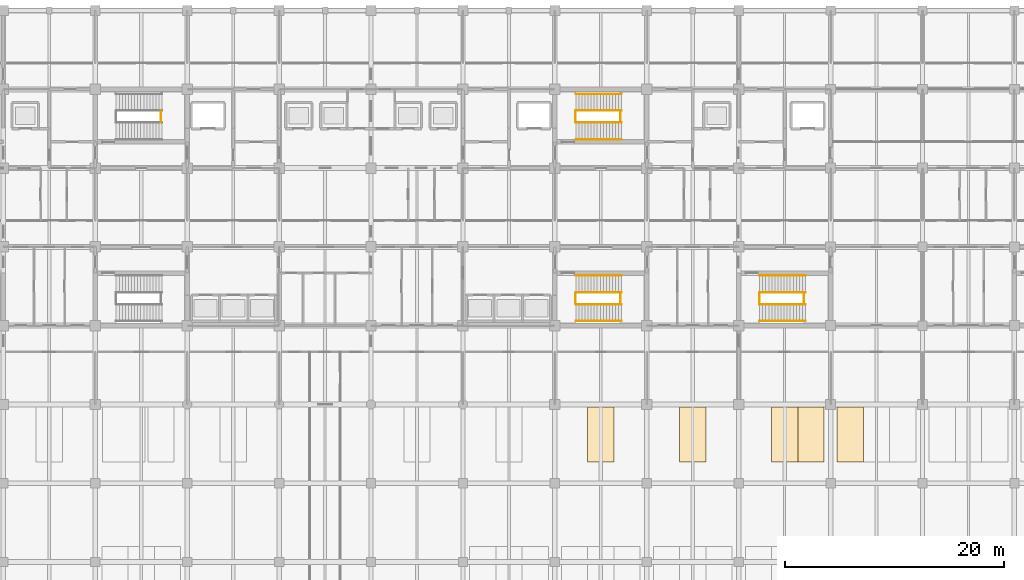
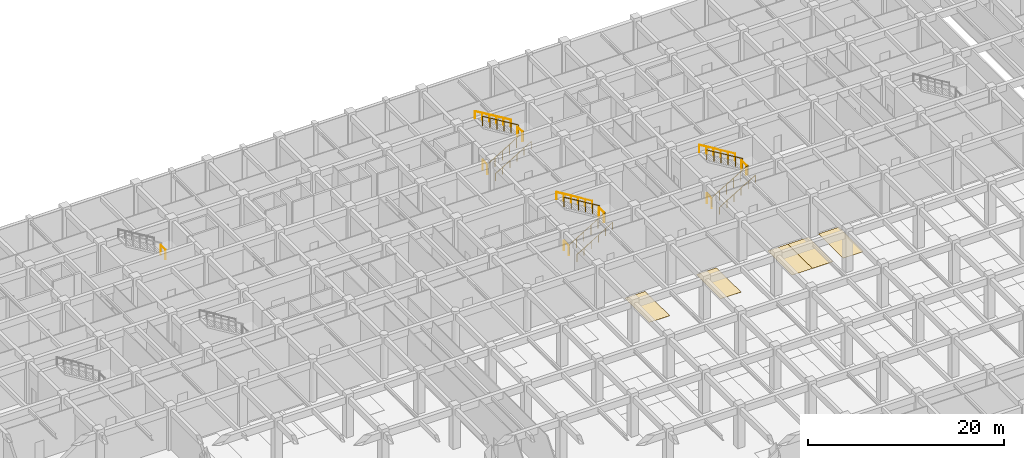
# One storey, part 45 of 48: 19 railings, 5 coverings.
"""IFC4 building model written with IfcOpenShell, lengths in metres."""

from ifc_helpers import new_model, si_unit, direction, frame, origin, origin_2d, place, context, subcontext, project, spatial, polyline, circle, outline, extrude, material, layer, layer_set, type_object, element, save


model = new_model("IFC4")

# Units and contexts
model_context = context("Model", 3, precision=1e-05, world=origin(), true_north=direction((0.0, 1.0)))
body_context = subcontext(model_context, "Body", "Model", "MODEL_VIEW")
ifc_project = project(units=[si_unit("LENGTHUNIT", "METRE"), si_unit("AREAUNIT", "SQUARE_METRE"), si_unit("VOLUMEUNIT", "CUBIC_METRE"), si_unit("PLANEANGLEUNIT", "RADIAN"), si_unit("MASSUNIT", "GRAM", prefix="KILO")], contexts=[model_context])

# Site, building, storey
site_placement = place(None, origin())
site = spatial("IfcSite", under=ifc_project, at=site_placement, CompositionType="ELEMENT")
building_placement = place(site_placement, origin())
building = spatial("IfcBuilding", under=site, at=building_placement, Name="Chengyuan Square Courthouse", CompositionType="ELEMENT")
storey_placement = place(building_placement, frame((0.0, 0.0, -5.39990234375)))
storey = spatial("IfcBuildingStorey", under=building, at=storey_placement, Name="B01", CompositionType="ELEMENT", Elevation=-5.39990234375)

# Coverings
ifc_material_1 = material(Name="Thermoplastic Parking Bay Marking Paint")
ifc_layer = layer(ifc_material_1, 0.010009765625)
ifc_layer_set = layer_set([ifc_layer], Name="Thermoplastic Parking Bay Marking Paint")
covering_type = type_object("IfcCoveringType", Name="PKB-01", PredefinedType="FLOORING", material=ifc_layer_set)
covering_1_placement = place(storey_placement, origin())
element("IfcCovering", 1, at=covering_1_placement, inside=storey, type_object=covering_type, Name="Parking Bay Marking B01-P160", PredefinedType="FLOORING", context=body_context, shape_type="SweptSolid", body=[
    extrude(outline(polyline([(103.800048828125, 73.949951171875), (106.199951171875, 73.949951171875), (106.199951171875, 78.949951171875), (103.800048828125, 78.949951171875), (103.800048828125, 73.949951171875)])), origin(), (0.0, 0.0, 1.0), 0.010009765625),
])
covering_2_placement = place(storey_placement, origin())
element("IfcCovering", 2, at=covering_2_placement, inside=storey, type_object=covering_type, Name="Parking Bay Marking B01-P161", PredefinedType="FLOORING", context=body_context, shape_type="SweptSolid", body=[
    extrude(outline(polyline([(112.199951171875, 73.949951171875), (114.60009765625, 73.949951171875), (114.60009765625, 78.949951171875), (112.199951171875, 78.949951171875), (112.199951171875, 73.949951171875)])), origin(), (0.0, 0.0, 1.0), 0.010009765625),
])
covering_3_placement = place(storey_placement, origin())
element("IfcCovering", 3, at=covering_3_placement, inside=storey, type_object=covering_type, Name="Parking Bay Marking B01-P162", PredefinedType="FLOORING", context=body_context, shape_type="SweptSolid", body=[
    extrude(outline(polyline([(120.60009765625, 73.949951171875), (123.0, 73.949951171875), (123.0, 78.949951171875), (120.60009765625, 78.949951171875), (120.60009765625, 73.949951171875)])), origin(), (0.0, 0.0, 1.0), 0.010009765625),
])
covering_4_placement = place(storey_placement, origin())
element("IfcCovering", 4, at=covering_4_placement, inside=storey, type_object=covering_type, Name="Parking Bay Marking B01-P163", PredefinedType="FLOORING", context=body_context, shape_type="SweptSolid", body=[
    extrude(outline(polyline([(123.0, 73.949951171875), (125.39990234375, 73.949951171875), (125.39990234375, 78.949951171875), (123.0, 78.949951171875), (123.0, 73.949951171875)])), origin(), (0.0, 0.0, 1.0), 0.010009765625),
])
covering_5_placement = place(storey_placement, origin())
element("IfcCovering", 5, at=covering_5_placement, inside=storey, type_object=covering_type, Name="Parking Bay Marking B01-P164", PredefinedType="FLOORING", context=body_context, shape_type="SweptSolid", body=[
    extrude(outline(polyline([(126.60009765625, 73.949951171875), (129.0, 73.949951171875), (129.0, 78.949951171875), (126.60009765625, 78.949951171875), (126.60009765625, 73.949951171875)])), origin(), (0.0, 0.0, 1.0), 0.010009765625),
])

# Railings
ifc_material_2 = material(Name="Tempered Glass and Timber Top-Rail Balustrade", Category="wood")
railing_type_1 = type_object("IfcRailingType", Name="RL-02", PredefinedType="BALUSTRADE", material=ifc_material_2)
for number, where, name in (
    (6, (64.7900390625, 105.0, 2.699951171875), "Stair Landing Guard ST-1-B01"),
    (7, (102.68994140625, 105.0, 0.0), "Stair Floor Slot Guard ST-2 B01"),
    (8, (106.7900390625, 105.0, 2.699951171875), "Stair Landing Guard ST-2-B01"),
):
    element("IfcRailing", number, at=place(storey_placement, frame(where)), inside=storey, type_object=railing_type_1, Name=name, PredefinedType="BALUSTRADE", context=body_context, shape_type="SweptSolid", body=[
        extrude(circle(Radius=0.02392578125, at=origin_2d()), frame((0.0, 0.0, 1.17578125), z_axis=(0.0, 1.0, 0.0), x_axis=(-1.0, 0.0, 0.0)), (0.0, 0.0, 1.0), 1.0),
        extrude(circle(Radius=0.02099609375, at=origin_2d()), origin(), (0.0, 0.0, 1.0), 1.15185546875),
        extrude(circle(Radius=0.02099609375, at=origin_2d()), frame((0.0, 1.0, 0.0)), (0.0, 0.0, 1.0), 1.15185546875),
    ])
railing_1_placement = place(storey_placement, frame((102.7099609375, 104.949951171875, 0.168701171875)))
element("IfcRailing", 9, at=railing_1_placement, inside=storey, type_object=railing_type_1, Name="Stair Flight 1 Guard ST-2-B01", PredefinedType="BALUSTRADE", context=body_context, shape_type="SweptSolid", body=[
    extrude(circle(Radius=0.02392578125, at=origin_2d()), frame((0.0, 0.0, 1.17578125), z_axis=(0.856476492594, 0.0, 0.516186030065), x_axis=(0.0, 1.0, 0.0)), (0.0, 0.0, 1.0), 4.90380859375),
    extrude(circle(Radius=0.02099609375, at=origin_2d()), origin(), (0.0, 0.0, 1.0), 1.15185546875),
    extrude(circle(Radius=0.02099609375, at=origin_2d()), frame((0.840087890625, 0.0, 0.50634765625)), (0.0, 0.0, 1.0), 1.15185546875),
    extrude(circle(Radius=0.02099609375, at=origin_2d()), frame((1.679931640625, 0.0, 1.012451171875)), (0.0, 0.0, 1.0), 1.15185546875),
    extrude(circle(Radius=0.02099609375, at=origin_2d()), frame((2.52001953125, 0.0, 1.518798828125)), (0.0, 0.0, 1.0), 1.15185546875),
    extrude(circle(Radius=0.02099609375, at=origin_2d()), frame((3.35986328125, 0.0, 2.02490234375)), (0.0, 0.0, 1.0), 1.15185546875),
    extrude(circle(Radius=0.02099609375, at=origin_2d()), frame((4.199951171875, 0.0, 2.53125)), (0.0, 0.0, 1.0), 1.15185546875),
])
railing_2_placement = place(storey_placement, frame((106.909912109375, 106.050048828125, 2.86865234375)))
element("IfcRailing", 10, at=railing_2_placement, inside=storey, type_object=railing_type_1, Name="Stair Flight 2 Guard ST-2-B01", PredefinedType="BALUSTRADE", context=body_context, shape_type="SweptSolid", body=[
    extrude(circle(Radius=0.02392578125, at=origin_2d()), frame((0.0, 0.0, 1.17578125), z_axis=(-0.856476492594, 0.0, 0.516186030065), x_axis=(0.0, -1.0, 0.0)), (0.0, 0.0, 1.0), 4.90380859375),
    extrude(circle(Radius=0.02099609375, at=origin_2d()), origin(), (0.0, 0.0, 1.0), 1.15185546875),
    extrude(circle(Radius=0.02099609375, at=origin_2d()), frame((-0.840087890625, 0.0, 0.50634765625)), (0.0, 0.0, 1.0), 1.15185546875),
    extrude(circle(Radius=0.02099609375, at=origin_2d()), frame((-1.679931640625, 0.0, 1.012451171875)), (0.0, 0.0, 1.0), 1.15185546875),
    extrude(circle(Radius=0.02099609375, at=origin_2d()), frame((-2.52001953125, 0.0, 1.518798828125)), (0.0, 0.0, 1.0), 1.15185546875),
    extrude(circle(Radius=0.02099609375, at=origin_2d()), frame((-3.35986328125, 0.0, 2.02490234375)), (0.0, 0.0, 1.0), 1.15185546875),
    extrude(circle(Radius=0.02099609375, at=origin_2d()), frame((-4.199951171875, 0.0, 2.53125)), (0.0, 0.0, 1.0), 1.15185546875),
])
for number, where, name in (
    (11, (102.68994140625, 88.39990234375, 0.0), "Stair Floor Slot Guard ST-4 B01"),
    (12, (106.7900390625, 88.39990234375, 2.699951171875), "Stair Landing Guard ST-4-B01"),
):
    element("IfcRailing", number, at=place(storey_placement, frame(where)), inside=storey, type_object=railing_type_1, Name=name, PredefinedType="BALUSTRADE", context=body_context, shape_type="SweptSolid", body=[
        extrude(circle(Radius=0.02392578125, at=origin_2d()), frame((0.0, 0.0, 1.17578125), z_axis=(0.0, 1.0, 0.0), x_axis=(-1.0, 0.0, 0.0)), (0.0, 0.0, 1.0), 1.0),
        extrude(circle(Radius=0.02099609375, at=origin_2d()), origin(), (0.0, 0.0, 1.0), 1.15185546875),
        extrude(circle(Radius=0.02099609375, at=origin_2d()), frame((0.0, 1.0, 0.0)), (0.0, 0.0, 1.0), 1.15185546875),
    ])
railing_3_placement = place(storey_placement, frame((102.7099609375, 88.35009765625, 0.168701171875)))
element("IfcRailing", 13, at=railing_3_placement, inside=storey, type_object=railing_type_1, Name="Stair Flight 1 Guard ST-4-B01", PredefinedType="BALUSTRADE", context=body_context, shape_type="SweptSolid", body=[
    extrude(circle(Radius=0.02392578125, at=origin_2d()), frame((0.0, 0.0, 1.17578125), z_axis=(0.856476492594, 0.0, 0.516186030065), x_axis=(0.0, 1.0, 0.0)), (0.0, 0.0, 1.0), 4.90380859375),
    extrude(circle(Radius=0.02099609375, at=origin_2d()), origin(), (0.0, 0.0, 1.0), 1.15185546875),
    extrude(circle(Radius=0.02099609375, at=origin_2d()), frame((0.840087890625, 0.0, 0.50634765625)), (0.0, 0.0, 1.0), 1.15185546875),
    extrude(circle(Radius=0.02099609375, at=origin_2d()), frame((1.679931640625, 0.0, 1.012451171875)), (0.0, 0.0, 1.0), 1.15185546875),
    extrude(circle(Radius=0.02099609375, at=origin_2d()), frame((2.52001953125, 0.0, 1.518798828125)), (0.0, 0.0, 1.0), 1.15185546875),
    extrude(circle(Radius=0.02099609375, at=origin_2d()), frame((3.35986328125, 0.0, 2.02490234375)), (0.0, 0.0, 1.0), 1.15185546875),
    extrude(circle(Radius=0.02099609375, at=origin_2d()), frame((4.199951171875, 0.0, 2.53125)), (0.0, 0.0, 1.0), 1.15185546875),
])
railing_4_placement = place(storey_placement, frame((106.909912109375, 89.449951171875, 2.86865234375)))
element("IfcRailing", 14, at=railing_4_placement, inside=storey, type_object=railing_type_1, Name="Stair Flight 2 Guard ST-4-B01", PredefinedType="BALUSTRADE", context=body_context, shape_type="SweptSolid", body=[
    extrude(circle(Radius=0.02392578125, at=origin_2d()), frame((0.0, 0.0, 1.17578125), z_axis=(-0.856476492594, 0.0, 0.516186030065), x_axis=(0.0, -1.0, 0.0)), (0.0, 0.0, 1.0), 4.90380859375),
    extrude(circle(Radius=0.02099609375, at=origin_2d()), origin(), (0.0, 0.0, 1.0), 1.15185546875),
    extrude(circle(Radius=0.02099609375, at=origin_2d()), frame((-0.840087890625, 0.0, 0.50634765625)), (0.0, 0.0, 1.0), 1.15185546875),
    extrude(circle(Radius=0.02099609375, at=origin_2d()), frame((-1.679931640625, 0.0, 1.012451171875)), (0.0, 0.0, 1.0), 1.15185546875),
    extrude(circle(Radius=0.02099609375, at=origin_2d()), frame((-2.52001953125, 0.0, 1.518798828125)), (0.0, 0.0, 1.0), 1.15185546875),
    extrude(circle(Radius=0.02099609375, at=origin_2d()), frame((-3.35986328125, 0.0, 2.02490234375)), (0.0, 0.0, 1.0), 1.15185546875),
    extrude(circle(Radius=0.02099609375, at=origin_2d()), frame((-4.199951171875, 0.0, 2.53125)), (0.0, 0.0, 1.0), 1.15185546875),
])
for number, where, name in (
    (15, (119.489990234375, 88.39990234375, 0.0), "Stair Floor Slot Guard ST-6 B01"),
    (16, (123.590087890625, 88.39990234375, 2.699951171875), "Stair Landing Guard ST-6-B01"),
):
    element("IfcRailing", number, at=place(storey_placement, frame(where)), inside=storey, type_object=railing_type_1, Name=name, PredefinedType="BALUSTRADE", context=body_context, shape_type="SweptSolid", body=[
        extrude(circle(Radius=0.02392578125, at=origin_2d()), frame((0.0, 0.0, 1.17578125), z_axis=(0.0, 1.0, 0.0), x_axis=(-1.0, 0.0, 0.0)), (0.0, 0.0, 1.0), 1.0),
        extrude(circle(Radius=0.02099609375, at=origin_2d()), origin(), (0.0, 0.0, 1.0), 1.15185546875),
        extrude(circle(Radius=0.02099609375, at=origin_2d()), frame((0.0, 1.0, 0.0)), (0.0, 0.0, 1.0), 1.15185546875),
    ])
railing_5_placement = place(storey_placement, frame((119.510009765625, 88.35009765625, 0.168701171875)))
element("IfcRailing", 17, at=railing_5_placement, inside=storey, type_object=railing_type_1, Name="Stair Flight 1 Guard ST-6-B01", PredefinedType="BALUSTRADE", context=body_context, shape_type="SweptSolid", body=[
    extrude(circle(Radius=0.02392578125, at=origin_2d()), frame((0.0, 0.0, 1.17578125), z_axis=(0.856476492594, 0.0, 0.516186030065), x_axis=(0.0, 1.0, 0.0)), (0.0, 0.0, 1.0), 4.90380859375),
    extrude(circle(Radius=0.02099609375, at=origin_2d()), origin(), (0.0, 0.0, 1.0), 1.15185546875),
    extrude(circle(Radius=0.02099609375, at=origin_2d()), frame((0.840087890625, 0.0, 0.50634765625)), (0.0, 0.0, 1.0), 1.15185546875),
    extrude(circle(Radius=0.02099609375, at=origin_2d()), frame((1.679931640625, 0.0, 1.012451171875)), (0.0, 0.0, 1.0), 1.15185546875),
    extrude(circle(Radius=0.02099609375, at=origin_2d()), frame((2.52001953125, 0.0, 1.518798828125)), (0.0, 0.0, 1.0), 1.15185546875),
    extrude(circle(Radius=0.02099609375, at=origin_2d()), frame((3.35986328125, 0.0, 2.02490234375)), (0.0, 0.0, 1.0), 1.15185546875),
    extrude(circle(Radius=0.02099609375, at=origin_2d()), frame((4.199951171875, 0.0, 2.53125)), (0.0, 0.0, 1.0), 1.15185546875),
])
railing_6_placement = place(storey_placement, frame((123.7099609375, 89.449951171875, 2.86865234375)))
element("IfcRailing", 18, at=railing_6_placement, inside=storey, type_object=railing_type_1, Name="Stair Flight 2 Guard ST-6-B01", PredefinedType="BALUSTRADE", context=body_context, shape_type="SweptSolid", body=[
    extrude(circle(Radius=0.02392578125, at=origin_2d()), frame((0.0, 0.0, 1.17578125), z_axis=(-0.856476492594, 0.0, 0.516186030065), x_axis=(0.0, -1.0, 0.0)), (0.0, 0.0, 1.0), 4.90380859375),
    extrude(circle(Radius=0.02099609375, at=origin_2d()), origin(), (0.0, 0.0, 1.0), 1.15185546875),
    extrude(circle(Radius=0.02099609375, at=origin_2d()), frame((-0.840087890625, 0.0, 0.50634765625)), (0.0, 0.0, 1.0), 1.15185546875),
    extrude(circle(Radius=0.02099609375, at=origin_2d()), frame((-1.679931640625, 0.0, 1.012451171875)), (0.0, 0.0, 1.0), 1.15185546875),
    extrude(circle(Radius=0.02099609375, at=origin_2d()), frame((-2.52001953125, 0.0, 1.518798828125)), (0.0, 0.0, 1.0), 1.15185546875),
    extrude(circle(Radius=0.02099609375, at=origin_2d()), frame((-3.35986328125, 0.0, 2.02490234375)), (0.0, 0.0, 1.0), 1.15185546875),
    extrude(circle(Radius=0.02099609375, at=origin_2d()), frame((-4.199951171875, 0.0, 2.53125)), (0.0, 0.0, 1.0), 1.15185546875),
])
ifc_material_3 = material(Name="Stainless Steel S30408 Stair Handrail", Category="steel")
railing_type_2 = type_object("IfcRailingType", Name="RL-04", PredefinedType="HANDRAIL", material=ifc_material_3)
railing_7_placement = place(storey_placement, frame((102.7099609375, 103.419921875, 0.168701171875)))
element("IfcRailing", 19, at=railing_7_placement, inside=storey, type_object=railing_type_2, Name="Stair Flight 1 Handrail ST-2-B01", PredefinedType="HANDRAIL", context=body_context, shape_type="SweptSolid", body=[
    extrude(circle(Radius=0.02392578125, at=origin_2d()), frame((0.0, 0.0, 0.8759765625), z_axis=(0.856476492594, 0.0, 0.516186030065), x_axis=(0.0, 1.0, 0.0)), (0.0, 0.0, 1.0), 4.90380859375),
    extrude(circle(Radius=0.02099609375, at=origin_2d()), origin(), (0.0, 0.0, 1.0), 0.851806640625),
    extrude(circle(Radius=0.02099609375, at=origin_2d()), frame((0.840087890625, 0.0, 0.50634765625)), (0.0, 0.0, 1.0), 0.851806640625),
    extrude(circle(Radius=0.02099609375, at=origin_2d()), frame((1.679931640625, 0.0, 1.012451171875)), (0.0, 0.0, 1.0), 0.851806640625),
    extrude(circle(Radius=0.02099609375, at=origin_2d()), frame((2.52001953125, 0.0, 1.518798828125)), (0.0, 0.0, 1.0), 0.851806640625),
    extrude(circle(Radius=0.02099609375, at=origin_2d()), frame((3.35986328125, 0.0, 2.02490234375)), (0.0, 0.0, 1.0), 0.851806640625),
    extrude(circle(Radius=0.02099609375, at=origin_2d()), frame((4.199951171875, 0.0, 2.53125)), (0.0, 0.0, 1.0), 0.851806640625),
])
railing_8_placement = place(storey_placement, frame((106.909912109375, 107.580078125, 2.86865234375)))
element("IfcRailing", 20, at=railing_8_placement, inside=storey, type_object=railing_type_2, Name="Stair Flight 2 Handrail ST-2-B01", PredefinedType="HANDRAIL", context=body_context, shape_type="SweptSolid", body=[
    extrude(circle(Radius=0.02392578125, at=origin_2d()), frame((0.0, 0.0, 0.8759765625), z_axis=(-0.856476492594, 0.0, 0.516186030065), x_axis=(0.0, -1.0, 0.0)), (0.0, 0.0, 1.0), 4.90380859375),
    extrude(circle(Radius=0.02099609375, at=origin_2d()), origin(), (0.0, 0.0, 1.0), 0.851806640625),
    extrude(circle(Radius=0.02099609375, at=origin_2d()), frame((-0.840087890625, 0.0, 0.50634765625)), (0.0, 0.0, 1.0), 0.851806640625),
    extrude(circle(Radius=0.02099609375, at=origin_2d()), frame((-1.679931640625, 0.0, 1.012451171875)), (0.0, 0.0, 1.0), 0.851806640625),
    extrude(circle(Radius=0.02099609375, at=origin_2d()), frame((-2.52001953125, 0.0, 1.518798828125)), (0.0, 0.0, 1.0), 0.851806640625),
    extrude(circle(Radius=0.02099609375, at=origin_2d()), frame((-3.35986328125, 0.0, 2.02490234375)), (0.0, 0.0, 1.0), 0.851806640625),
    extrude(circle(Radius=0.02099609375, at=origin_2d()), frame((-4.199951171875, 0.0, 2.53125)), (0.0, 0.0, 1.0), 0.851806640625),
])
railing_9_placement = place(storey_placement, frame((102.7099609375, 86.820068359375, 0.168701171875)))
element("IfcRailing", 21, at=railing_9_placement, inside=storey, type_object=railing_type_2, Name="Stair Flight 1 Handrail ST-4-B01", PredefinedType="HANDRAIL", context=body_context, shape_type="SweptSolid", body=[
    extrude(circle(Radius=0.02392578125, at=origin_2d()), frame((0.0, 0.0, 0.8759765625), z_axis=(0.856476492594, 0.0, 0.516186030065), x_axis=(0.0, 1.0, 0.0)), (0.0, 0.0, 1.0), 4.90380859375),
    extrude(circle(Radius=0.02099609375, at=origin_2d()), origin(), (0.0, 0.0, 1.0), 0.851806640625),
    extrude(circle(Radius=0.02099609375, at=origin_2d()), frame((0.840087890625, 0.0, 0.50634765625)), (0.0, 0.0, 1.0), 0.851806640625),
    extrude(circle(Radius=0.02099609375, at=origin_2d()), frame((1.679931640625, 0.0, 1.012451171875)), (0.0, 0.0, 1.0), 0.851806640625),
    extrude(circle(Radius=0.02099609375, at=origin_2d()), frame((2.52001953125, 0.0, 1.518798828125)), (0.0, 0.0, 1.0), 0.851806640625),
    extrude(circle(Radius=0.02099609375, at=origin_2d()), frame((3.35986328125, 0.0, 2.02490234375)), (0.0, 0.0, 1.0), 0.851806640625),
    extrude(circle(Radius=0.02099609375, at=origin_2d()), frame((4.199951171875, 0.0, 2.53125)), (0.0, 0.0, 1.0), 0.851806640625),
])
railing_10_placement = place(storey_placement, frame((106.909912109375, 90.97998046875, 2.86865234375)))
element("IfcRailing", 22, at=railing_10_placement, inside=storey, type_object=railing_type_2, Name="Stair Flight 2 Handrail ST-4-B01", PredefinedType="HANDRAIL", context=body_context, shape_type="SweptSolid", body=[
    extrude(circle(Radius=0.02392578125, at=origin_2d()), frame((0.0, 0.0, 0.8759765625), z_axis=(-0.856476492594, 0.0, 0.516186030065), x_axis=(0.0, -1.0, 0.0)), (0.0, 0.0, 1.0), 4.90380859375),
    extrude(circle(Radius=0.02099609375, at=origin_2d()), origin(), (0.0, 0.0, 1.0), 0.851806640625),
    extrude(circle(Radius=0.02099609375, at=origin_2d()), frame((-0.840087890625, 0.0, 0.50634765625)), (0.0, 0.0, 1.0), 0.851806640625),
    extrude(circle(Radius=0.02099609375, at=origin_2d()), frame((-1.679931640625, 0.0, 1.012451171875)), (0.0, 0.0, 1.0), 0.851806640625),
    extrude(circle(Radius=0.02099609375, at=origin_2d()), frame((-2.52001953125, 0.0, 1.518798828125)), (0.0, 0.0, 1.0), 0.851806640625),
    extrude(circle(Radius=0.02099609375, at=origin_2d()), frame((-3.35986328125, 0.0, 2.02490234375)), (0.0, 0.0, 1.0), 0.851806640625),
    extrude(circle(Radius=0.02099609375, at=origin_2d()), frame((-4.199951171875, 0.0, 2.53125)), (0.0, 0.0, 1.0), 0.851806640625),
])
railing_11_placement = place(storey_placement, frame((119.510009765625, 86.820068359375, 0.168701171875)))
element("IfcRailing", 23, at=railing_11_placement, inside=storey, type_object=railing_type_2, Name="Stair Flight 1 Handrail ST-6-B01", PredefinedType="HANDRAIL", context=body_context, shape_type="SweptSolid", body=[
    extrude(circle(Radius=0.02392578125, at=origin_2d()), frame((0.0, 0.0, 0.8759765625), z_axis=(0.856476492594, 0.0, 0.516186030065), x_axis=(0.0, 1.0, 0.0)), (0.0, 0.0, 1.0), 4.90380859375),
    extrude(circle(Radius=0.02099609375, at=origin_2d()), origin(), (0.0, 0.0, 1.0), 0.851806640625),
    extrude(circle(Radius=0.02099609375, at=origin_2d()), frame((0.840087890625, 0.0, 0.50634765625)), (0.0, 0.0, 1.0), 0.851806640625),
    extrude(circle(Radius=0.02099609375, at=origin_2d()), frame((1.679931640625, 0.0, 1.012451171875)), (0.0, 0.0, 1.0), 0.851806640625),
    extrude(circle(Radius=0.02099609375, at=origin_2d()), frame((2.52001953125, 0.0, 1.518798828125)), (0.0, 0.0, 1.0), 0.851806640625),
    extrude(circle(Radius=0.02099609375, at=origin_2d()), frame((3.35986328125, 0.0, 2.02490234375)), (0.0, 0.0, 1.0), 0.851806640625),
    extrude(circle(Radius=0.02099609375, at=origin_2d()), frame((4.199951171875, 0.0, 2.53125)), (0.0, 0.0, 1.0), 0.851806640625),
])
railing_12_placement = place(storey_placement, frame((123.7099609375, 90.97998046875, 2.86865234375)))
element("IfcRailing", 24, at=railing_12_placement, inside=storey, type_object=railing_type_2, Name="Stair Flight 2 Handrail ST-6-B01", PredefinedType="HANDRAIL", context=body_context, shape_type="SweptSolid", body=[
    extrude(circle(Radius=0.02392578125, at=origin_2d()), frame((0.0, 0.0, 0.8759765625), z_axis=(-0.856476492594, 0.0, 0.516186030065), x_axis=(0.0, -1.0, 0.0)), (0.0, 0.0, 1.0), 4.90380859375),
    extrude(circle(Radius=0.02099609375, at=origin_2d()), origin(), (0.0, 0.0, 1.0), 0.851806640625),
    extrude(circle(Radius=0.02099609375, at=origin_2d()), frame((-0.840087890625, 0.0, 0.50634765625)), (0.0, 0.0, 1.0), 0.851806640625),
    extrude(circle(Radius=0.02099609375, at=origin_2d()), frame((-1.679931640625, 0.0, 1.012451171875)), (0.0, 0.0, 1.0), 0.851806640625),
    extrude(circle(Radius=0.02099609375, at=origin_2d()), frame((-2.52001953125, 0.0, 1.518798828125)), (0.0, 0.0, 1.0), 0.851806640625),
    extrude(circle(Radius=0.02099609375, at=origin_2d()), frame((-3.35986328125, 0.0, 2.02490234375)), (0.0, 0.0, 1.0), 0.851806640625),
    extrude(circle(Radius=0.02099609375, at=origin_2d()), frame((-4.199951171875, 0.0, 2.53125)), (0.0, 0.0, 1.0), 0.851806640625),
])

save(model, "model.ifc")
